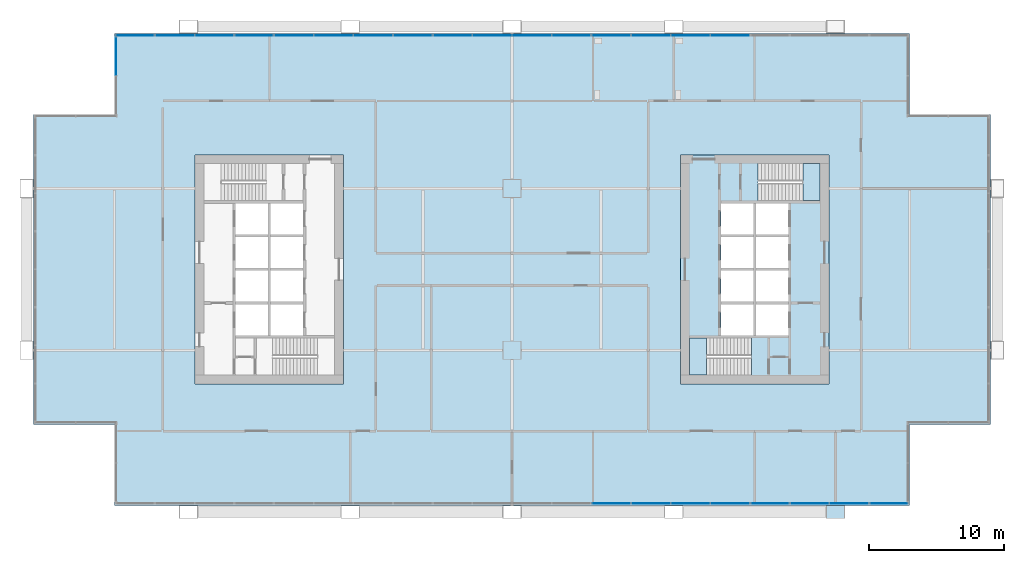
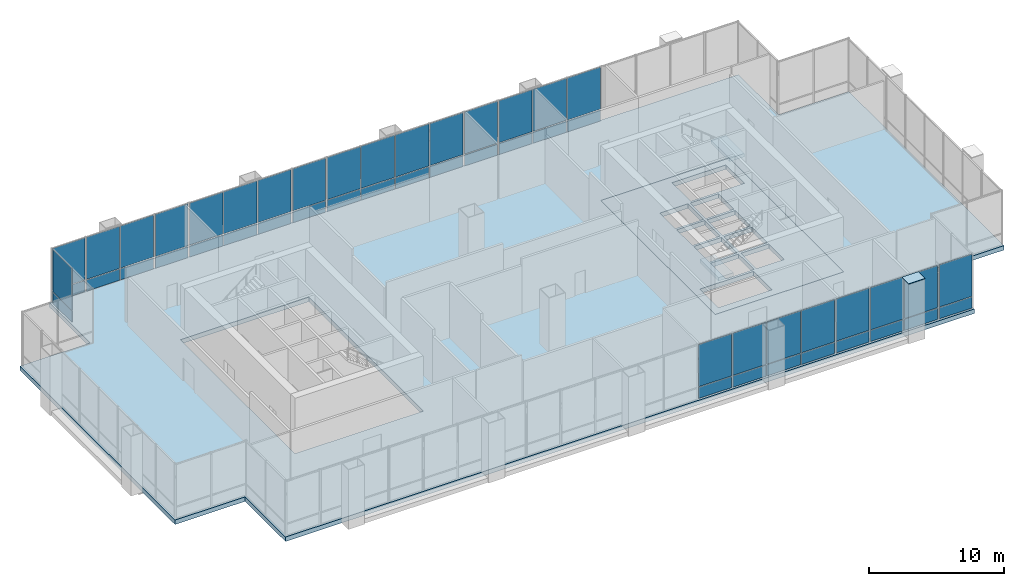
# One storey, part 13 of 20: 51 plates, 4 slabs, 16 elements without a shape of their own.
"""IFC4 building model written with IfcOpenShell, lengths in metres."""

from ifc_helpers import new_model, si_unit, direction, frame, origin, origin_2d, place, context, subcontext, project, spatial, polyline, rectangle, outline, extrude, material, layer, layer_set, type_object, element, aggregate, save


model = new_model("IFC4")

# Units and contexts
model_context = context("Model", 3, precision=1e-05, world=origin(), true_north=direction((0.0, 1.0)))
body_context = subcontext(model_context, "Body", "Model", "MODEL_VIEW")
ifc_project = project(units=[si_unit("LENGTHUNIT", "METRE"), si_unit("AREAUNIT", "SQUARE_METRE"), si_unit("VOLUMEUNIT", "CUBIC_METRE"), si_unit("PLANEANGLEUNIT", "RADIAN"), si_unit("MASSUNIT", "GRAM", prefix="KILO")], contexts=[model_context])

# Site, building, storey
site_placement = place(None, origin())
site = spatial("IfcSite", under=ifc_project, at=site_placement, CompositionType="ELEMENT")
building_placement = place(site_placement, origin())
building = spatial("IfcBuilding", under=site, at=building_placement, Name="Kitamizu Gate Tower and Museum", CompositionType="ELEMENT")
storey_placement = place(building_placement, frame((0.0, 0.0, 148.35009765625)))
storey = spatial("IfcBuildingStorey", under=building, at=storey_placement, Name="L39", CompositionType="ELEMENT", Elevation=148.35009765625)

# Slab
ifc_material_1 = material(Name="Concrete Fc36", Category="concrete")
ifc_layer_1 = layer(ifc_material_1, 0.39990234375)
ifc_layer_set_1 = layer_set([ifc_layer_1], Name="Concrete Fc36")
slab_type_1 = type_object("IfcSlabType", Name="Core floor slab 400", PredefinedType="FLOOR", material=ifc_layer_set_1)
slab_1_placement = place(storey_placement, frame((0.0, 0.0, -0.400146484375)))
element("IfcSlab", 1, at=slab_1_placement, inside=storey, type_object=slab_type_1, Name="Core floor slab E", PredefinedType="FLOOR", context=body_context, shape_type="SweptSolid", body=[
    extrude(outline(polyline([(48.5, 21.5), (59.5, 21.5), (59.5, 38.5), (48.5, 38.5), (48.5, 21.5)]), holes=[polyline([(54.10009765625, 25.10009765625), (56.5, 25.10009765625), (56.5, 27.39990234375), (54.10009765625, 27.39990234375), (54.10009765625, 25.10009765625)]), polyline([(54.10009765625, 27.60009765625), (56.5, 27.60009765625), (56.5, 29.89990234375), (54.10009765625, 29.89990234375), (54.10009765625, 27.60009765625)]), polyline([(54.10009765625, 30.10009765625), (56.5, 30.10009765625), (56.5, 32.39990234375), (54.10009765625, 32.39990234375), (54.10009765625, 30.10009765625)]), polyline([(54.10009765625, 32.60009765625), (56.5, 32.60009765625), (56.5, 34.89990234375), (54.10009765625, 34.89990234375), (54.10009765625, 32.60009765625)]), polyline([(51.5, 25.10009765625), (53.89990234375, 25.10009765625), (53.89990234375, 27.39990234375), (51.5, 27.39990234375), (51.5, 25.10009765625)]), polyline([(51.5, 27.60009765625), (53.89990234375, 27.60009765625), (53.89990234375, 29.89990234375), (51.5, 29.89990234375), (51.5, 27.60009765625)]), polyline([(51.5, 30.10009765625), (53.89990234375, 30.10009765625), (53.89990234375, 32.39990234375), (51.5, 32.39990234375), (51.5, 30.10009765625)]), polyline([(51.5, 32.60009765625), (53.89990234375, 32.60009765625), (53.89990234375, 34.89990234375), (51.5, 34.89990234375), (51.5, 32.60009765625)]), polyline([(49.14990234375, 22.14990234375), (53.74951171875, 22.14990234375), (53.74951171875, 24.89990234375), (49.14990234375, 24.89990234375), (49.14990234375, 22.14990234375)]), polyline([(54.25048828125, 35.10009765625), (58.85009765625, 35.10009765625), (58.85009765625, 37.85009765625), (54.25048828125, 37.85009765625), (54.25048828125, 35.10009765625)])]), origin(), (0.0, 0.0, 1.0), 0.400146484375),
])

# Plate
ifc_material_2 = material(Name="Steel SM490A bronze coated", Category="steel")
ifc_layer_2 = layer(ifc_material_2, 0.054931640625)
ifc_layer_set_2 = layer_set([ifc_layer_2], Name="Steel SM490A bronze coated")
plate_type_1 = type_object("IfcPlateType", Name="Exoskeleton column cap plate XC5 55", PredefinedType="USERDEFINED", material=ifc_layer_set_2)
plate_1_placement = place(storey_placement, frame((60.0, 12.0, 5.0), z_axis=(0.0, 0.0, 1.0), x_axis=(1.0, 0.0, 0.0)))
element("IfcPlate", 2, at=plate_1_placement, inside=storey, type_object=plate_type_1, Name="Exoskeleton column cap plate XC5 6B L39", ObjectType="COLUMN CAP PLATE", PredefinedType="USERDEFINED", context=body_context, shape_type="SweptSolid", body=[
    extrude(rectangle(XDim=1.39990234375, YDim=1.0, at=origin_2d()), origin(), (0.0, 0.0, 1.0), 0.054931640625),
])

# Curtain wall, plates
ifc_material_3 = material(Name="Bronze anodised aluminium frame, tinted triple glazing", Category="aluminium")
curtain_wall_type_1 = type_object("IfcCurtainWallType", Name="CURTAIN WALL TYPE B SKY LOBBY", PredefinedType="NOTDEFINED", material=ifc_material_3)
curtain_wall_1_placement = place(storey_placement, origin())
curtain_wall_1 = element("IfcCurtainWall", 3, at=curtain_wall_1_placement, inside=storey, type_object=curtain_wall_type_1, Name="Curtain wall CW-B south L39 part 7", PredefinedType="NOTDEFINED")
ifc_material_4 = material(Name="Tinted insulating glass", Category="glass")
ifc_layer_3 = layer(ifc_material_4, 0.031982421875)
ifc_layer_set_3 = layer_set([ifc_layer_3], Name="Tinted insulating glass")
plate_type_2 = type_object("IfcPlateType", Name="GLASS PANEL 32 TYPE B", PredefinedType="CURTAIN_PANEL", material=ifc_layer_set_3)
plate_2_placement = place(storey_placement, frame((43.360107421875, 12.635009765625, 0.06005859375), z_axis=(0.0, 0.0, 1.0), x_axis=(1.0, 0.0, 0.0)))
plate_2 = element("IfcPlate", 4, at=plate_2_placement, type_object=plate_type_2, Name="CW-B panel 1.1", PredefinedType="CURTAIN_PANEL", context=body_context, shape_type="SweptSolid", body=[
    extrude(rectangle(XDim=2.803955078125, YDim=0.031982421875, at=origin_2d()), origin(), (0.0, 0.0, 1.0), 1.010009765625),
])
plate_3_placement = place(storey_placement, frame((43.360107421875, 12.635009765625, 1.1298828125), z_axis=(0.0, 0.0, 1.0), x_axis=(1.0, 0.0, 0.0)))
plate_3 = element("IfcPlate", 5, at=plate_3_placement, type_object=plate_type_2, Name="CW-B panel 1.2", PredefinedType="CURTAIN_PANEL", context=body_context, shape_type="SweptSolid", body=[
    extrude(rectangle(XDim=2.803955078125, YDim=0.031982421875, at=origin_2d()), origin(), (0.0, 0.0, 1.0), 3.81005859375),
])
aggregate(curtain_wall_1, [plate_2, plate_3])

curtain_wall_2_placement = place(storey_placement, origin())
curtain_wall_2 = element("IfcCurtainWall", 6, at=curtain_wall_2_placement, inside=storey, type_object=curtain_wall_type_1, Name="Curtain wall CW-B south L39 part 9", PredefinedType="NOTDEFINED")
plate_4_placement = place(storey_placement, frame((55.135986328125, 12.635009765625, 0.06005859375), z_axis=(0.0, 0.0, 1.0), x_axis=(1.0, 0.0, 0.0)))
plate_4 = element("IfcPlate", 7, at=plate_4_placement, type_object=plate_type_2, Name="CW-B panel 1.1", PredefinedType="CURTAIN_PANEL", context=body_context, shape_type="SweptSolid", body=[
    extrude(rectangle(XDim=2.803955078125, YDim=0.031982421875, at=origin_2d()), origin(), (0.0, 0.0, 1.0), 1.010009765625),
])
plate_5_placement = place(storey_placement, frame((55.135986328125, 12.635009765625, 1.1298828125), z_axis=(0.0, 0.0, 1.0), x_axis=(1.0, 0.0, 0.0)))
plate_5 = element("IfcPlate", 8, at=plate_5_placement, type_object=plate_type_2, Name="CW-B panel 1.2", PredefinedType="CURTAIN_PANEL", context=body_context, shape_type="SweptSolid", body=[
    extrude(rectangle(XDim=2.803955078125, YDim=0.031982421875, at=origin_2d()), origin(), (0.0, 0.0, 1.0), 3.81005859375),
])
aggregate(curtain_wall_2, [plate_4, plate_5])

curtain_wall_3_placement = place(storey_placement, origin())
curtain_wall_3 = element("IfcCurtainWall", 9, at=curtain_wall_3_placement, inside=storey, type_object=curtain_wall_type_1, Name="Curtain wall CW-B south L39 part 11", PredefinedType="NOTDEFINED")
plate_6_placement = place(storey_placement, frame((63.968017578125, 12.635009765625, 0.06005859375), z_axis=(0.0, 0.0, 1.0), x_axis=(1.0, 0.0, 0.0)))
plate_6 = element("IfcPlate", 10, at=plate_6_placement, type_object=plate_type_2, Name="CW-B panel 1.1", PredefinedType="CURTAIN_PANEL", context=body_context, shape_type="SweptSolid", body=[
    extrude(rectangle(XDim=2.803955078125, YDim=0.031982421875, at=origin_2d()), origin(), (0.0, 0.0, 1.0), 1.010009765625),
])
plate_7_placement = place(storey_placement, frame((63.968017578125, 12.635009765625, 1.1298828125), z_axis=(0.0, 0.0, 1.0), x_axis=(1.0, 0.0, 0.0)))
plate_7 = element("IfcPlate", 11, at=plate_7_placement, type_object=plate_type_2, Name="CW-B panel 1.2", PredefinedType="CURTAIN_PANEL", context=body_context, shape_type="SweptSolid", body=[
    extrude(rectangle(XDim=2.803955078125, YDim=0.031982421875, at=origin_2d()), origin(), (0.0, 0.0, 1.0), 3.81005859375),
])
aggregate(curtain_wall_3, [plate_6, plate_7])

curtain_wall_4_placement = place(storey_placement, origin())
curtain_wall_4 = element("IfcCurtainWall", 12, at=curtain_wall_4_placement, inside=storey, type_object=curtain_wall_type_1, Name="Curtain wall CW-B north L39 part 1", PredefinedType="NOTDEFINED")
plate_8_placement = place(storey_placement, frame((8.031982421875, 47.364990234375, 0.06005859375), z_axis=(0.0, 0.0, 1.0), x_axis=(1.0, 0.0, 0.0)))
plate_8 = element("IfcPlate", 13, at=plate_8_placement, type_object=plate_type_2, Name="CW-B panel 1.1", PredefinedType="CURTAIN_PANEL", context=body_context, shape_type="SweptSolid", body=[
    extrude(rectangle(XDim=2.803955078125, YDim=0.031982421875, at=origin_2d()), origin(), (0.0, 0.0, 1.0), 1.010009765625),
])
plate_9_placement = place(storey_placement, frame((8.031982421875, 47.364990234375, 1.1298828125), z_axis=(0.0, 0.0, 1.0), x_axis=(1.0, 0.0, 0.0)))
plate_9 = element("IfcPlate", 14, at=plate_9_placement, type_object=plate_type_2, Name="CW-B panel 1.2", PredefinedType="CURTAIN_PANEL", context=body_context, shape_type="SweptSolid", body=[
    extrude(rectangle(XDim=2.803955078125, YDim=0.031982421875, at=origin_2d()), origin(), (0.0, 0.0, 1.0), 3.81005859375),
])
aggregate(curtain_wall_4, [plate_8, plate_9])

curtain_wall_5_placement = place(storey_placement, origin())
curtain_wall_5 = element("IfcCurtainWall", 15, at=curtain_wall_5_placement, inside=storey, type_object=curtain_wall_type_1, Name="Curtain wall CW-B north L39 part 3", PredefinedType="NOTDEFINED")
plate_10_placement = place(storey_placement, frame((16.864013671875, 47.364990234375, 0.06005859375), z_axis=(0.0, 0.0, 1.0), x_axis=(1.0, 0.0, 0.0)))
plate_10 = element("IfcPlate", 16, at=plate_10_placement, type_object=plate_type_2, Name="CW-B panel 1.1", PredefinedType="CURTAIN_PANEL", context=body_context, shape_type="SweptSolid", body=[
    extrude(rectangle(XDim=2.803955078125, YDim=0.031982421875, at=origin_2d()), origin(), (0.0, 0.0, 1.0), 1.010009765625),
])
plate_11_placement = place(storey_placement, frame((16.864013671875, 47.364990234375, 1.1298828125), z_axis=(0.0, 0.0, 1.0), x_axis=(1.0, 0.0, 0.0)))
plate_11 = element("IfcPlate", 17, at=plate_11_placement, type_object=plate_type_2, Name="CW-B panel 1.2", PredefinedType="CURTAIN_PANEL", context=body_context, shape_type="SweptSolid", body=[
    extrude(rectangle(XDim=2.803955078125, YDim=0.031982421875, at=origin_2d()), origin(), (0.0, 0.0, 1.0), 3.81005859375),
])
aggregate(curtain_wall_5, [plate_10, plate_11])

curtain_wall_6_placement = place(storey_placement, origin())
curtain_wall_6 = element("IfcCurtainWall", 18, at=curtain_wall_6_placement, inside=storey, type_object=curtain_wall_type_1, Name="Curtain wall CW-B north L39 part 5", PredefinedType="NOTDEFINED")
plate_12_placement = place(storey_placement, frame((28.639892578125, 47.364990234375, 0.06005859375), z_axis=(0.0, 0.0, 1.0), x_axis=(1.0, 0.0, 0.0)))
plate_12 = element("IfcPlate", 19, at=plate_12_placement, type_object=plate_type_2, Name="CW-B panel 1.1", PredefinedType="CURTAIN_PANEL", context=body_context, shape_type="SweptSolid", body=[
    extrude(rectangle(XDim=2.803955078125, YDim=0.031982421875, at=origin_2d()), origin(), (0.0, 0.0, 1.0), 1.010009765625),
])
plate_13_placement = place(storey_placement, frame((28.639892578125, 47.364990234375, 1.1298828125), z_axis=(0.0, 0.0, 1.0), x_axis=(1.0, 0.0, 0.0)))
plate_13 = element("IfcPlate", 20, at=plate_13_placement, type_object=plate_type_2, Name="CW-B panel 1.2", PredefinedType="CURTAIN_PANEL", context=body_context, shape_type="SweptSolid", body=[
    extrude(rectangle(XDim=2.803955078125, YDim=0.031982421875, at=origin_2d()), origin(), (0.0, 0.0, 1.0), 3.81005859375),
])
aggregate(curtain_wall_6, [plate_12, plate_13])

curtain_wall_7_placement = place(storey_placement, origin())
curtain_wall_7 = element("IfcCurtainWall", 21, at=curtain_wall_7_placement, inside=storey, type_object=curtain_wall_type_1, Name="Curtain wall CW-B north L39 part 7", PredefinedType="NOTDEFINED")
plate_14_placement = place(storey_placement, frame((43.360107421875, 47.364990234375, 0.06005859375), z_axis=(0.0, 0.0, 1.0), x_axis=(1.0, 0.0, 0.0)))
plate_14 = element("IfcPlate", 22, at=plate_14_placement, type_object=plate_type_2, Name="CW-B panel 1.1", PredefinedType="CURTAIN_PANEL", context=body_context, shape_type="SweptSolid", body=[
    extrude(rectangle(XDim=2.803955078125, YDim=0.031982421875, at=origin_2d()), origin(), (0.0, 0.0, 1.0), 1.010009765625),
])
plate_15_placement = place(storey_placement, frame((43.360107421875, 47.364990234375, 1.1298828125), z_axis=(0.0, 0.0, 1.0), x_axis=(1.0, 0.0, 0.0)))
plate_15 = element("IfcPlate", 23, at=plate_15_placement, type_object=plate_type_2, Name="CW-B panel 1.2", PredefinedType="CURTAIN_PANEL", context=body_context, shape_type="SweptSolid", body=[
    extrude(rectangle(XDim=2.803955078125, YDim=0.031982421875, at=origin_2d()), origin(), (0.0, 0.0, 1.0), 3.81005859375),
])
aggregate(curtain_wall_7, [plate_14, plate_15])

curtain_wall_8_placement = place(storey_placement, origin())
curtain_wall_8 = element("IfcCurtainWall", 24, at=curtain_wall_8_placement, inside=storey, type_object=curtain_wall_type_1, Name="Curtain wall CW-B west L39", PredefinedType="NOTDEFINED")
plate_16_placement = place(storey_placement, frame((6.635009765625, 45.81005859375, 0.06005859375), z_axis=(0.0, 0.0, 1.0), x_axis=(0.0, 1.0, 0.0)))
plate_16 = element("IfcPlate", 25, at=plate_16_placement, type_object=plate_type_2, Name="CW-B panel 2.1", PredefinedType="CURTAIN_PANEL", context=body_context, shape_type="SweptSolid", body=[
    extrude(rectangle(XDim=2.820068359375, YDim=0.031982421875, at=origin_2d()), origin(), (0.0, 0.0, 1.0), 1.010009765625),
])
plate_17_placement = place(storey_placement, frame((6.635009765625, 45.81005859375, 1.1298828125), z_axis=(0.0, 0.0, 1.0), x_axis=(0.0, 1.0, 0.0)))
plate_17 = element("IfcPlate", 26, at=plate_17_placement, type_object=plate_type_2, Name="CW-B panel 2.2", PredefinedType="CURTAIN_PANEL", context=body_context, shape_type="SweptSolid", body=[
    extrude(rectangle(XDim=2.820068359375, YDim=0.031982421875, at=origin_2d()), origin(), (0.0, 0.0, 1.0), 3.81005859375),
])
aggregate(curtain_wall_8, [plate_16, plate_17])

ifc_material_5 = material(Name="Bronze anodised aluminium frame, insulated panels", Category="aluminium")
curtain_wall_type_2 = type_object("IfcCurtainWallType", Name="CURTAIN WALL TYPE B SKY LOBBY INSULATED", PredefinedType="NOTDEFINED", material=ifc_material_5)
curtain_wall_9_placement = place(storey_placement, origin())
curtain_wall_9 = element("IfcCurtainWall", 27, at=curtain_wall_9_placement, inside=storey, type_object=curtain_wall_type_2, Name="Curtain wall CW-BI south L39 part 8", PredefinedType="NOTDEFINED")
ifc_material_6 = material(Name="Bronze anodised aluminium insulated panel", Category="aluminium")
ifc_layer_4 = layer(ifc_material_6, 0.031982421875)
ifc_layer_set_4 = layer_set([ifc_layer_4], Name="Bronze anodised aluminium insulated panel")
plate_type_3 = type_object("IfcPlateType", Name="INSULATED PANEL 32 TYPE B", PredefinedType="CURTAIN_PANEL", material=ifc_layer_set_4)
plate_18_placement = place(storey_placement, frame((46.321533203125, 12.635009765625, 0.06005859375), z_axis=(0.0, 0.0, 1.0), x_axis=(1.0, 0.0, 0.0)))
plate_18 = element("IfcPlate", 28, at=plate_18_placement, type_object=plate_type_3, Name="CW-BI panel 1.1", PredefinedType="CURTAIN_PANEL", context=body_context, shape_type="SweptSolid", body=[
    extrude(rectangle(XDim=2.839111328125, YDim=0.031982421875, at=origin_2d()), origin(), (0.0, 0.0, 1.0), 1.010009765625),
])
plate_19_placement = place(storey_placement, frame((46.321533203125, 12.635009765625, 1.1298828125), z_axis=(0.0, 0.0, 1.0), x_axis=(1.0, 0.0, 0.0)))
plate_19 = element("IfcPlate", 29, at=plate_19_placement, type_object=plate_type_3, Name="CW-BI panel 1.2", PredefinedType="CURTAIN_PANEL", context=body_context, shape_type="SweptSolid", body=[
    extrude(rectangle(XDim=2.839111328125, YDim=0.031982421875, at=origin_2d()), origin(), (0.0, 0.0, 1.0), 3.81005859375),
])
plate_20_placement = place(storey_placement, frame((49.248046875, 12.635009765625, 0.06005859375), z_axis=(0.0, 0.0, 1.0), x_axis=(1.0, 0.0, 0.0)))
plate_20 = element("IfcPlate", 30, at=plate_20_placement, type_object=plate_type_3, Name="CW-BI panel 2.1", PredefinedType="CURTAIN_PANEL", context=body_context, shape_type="SweptSolid", body=[
    extrude(rectangle(XDim=2.8740234375, YDim=0.031982421875, at=origin_2d()), origin(), (0.0, 0.0, 1.0), 1.010009765625),
])
plate_21_placement = place(storey_placement, frame((49.248046875, 12.635009765625, 1.1298828125), z_axis=(0.0, 0.0, 1.0), x_axis=(1.0, 0.0, 0.0)))
plate_21 = element("IfcPlate", 31, at=plate_21_placement, type_object=plate_type_3, Name="CW-BI panel 2.2", PredefinedType="CURTAIN_PANEL", context=body_context, shape_type="SweptSolid", body=[
    extrude(rectangle(XDim=2.8740234375, YDim=0.031982421875, at=origin_2d()), origin(), (0.0, 0.0, 1.0), 3.81005859375),
])
plate_22_placement = place(storey_placement, frame((52.174560546875, 12.635009765625, 0.06005859375), z_axis=(0.0, 0.0, 1.0), x_axis=(1.0, 0.0, 0.0)))
plate_22 = element("IfcPlate", 32, at=plate_22_placement, type_object=plate_type_3, Name="CW-BI panel 3.1", PredefinedType="CURTAIN_PANEL", context=body_context, shape_type="SweptSolid", body=[
    extrude(rectangle(XDim=2.839111328125, YDim=0.031982421875, at=origin_2d()), origin(), (0.0, 0.0, 1.0), 1.010009765625),
])
plate_23_placement = place(storey_placement, frame((52.174560546875, 12.635009765625, 1.1298828125), z_axis=(0.0, 0.0, 1.0), x_axis=(1.0, 0.0, 0.0)))
plate_23 = element("IfcPlate", 33, at=plate_23_placement, type_object=plate_type_3, Name="CW-BI panel 3.2", PredefinedType="CURTAIN_PANEL", context=body_context, shape_type="SweptSolid", body=[
    extrude(rectangle(XDim=2.839111328125, YDim=0.031982421875, at=origin_2d()), origin(), (0.0, 0.0, 1.0), 3.81005859375),
])
aggregate(curtain_wall_9, [plate_18, plate_19, plate_20, plate_21, plate_22, plate_23])

curtain_wall_10_placement = place(storey_placement, origin())
curtain_wall_10 = element("IfcCurtainWall", 34, at=curtain_wall_10_placement, inside=storey, type_object=curtain_wall_type_2, Name="Curtain wall CW-BI south L39 part 10", PredefinedType="NOTDEFINED")
plate_24_placement = place(storey_placement, frame((58.097412109375, 12.635009765625, 0.06005859375), z_axis=(0.0, 0.0, 1.0), x_axis=(1.0, 0.0, 0.0)))
plate_24 = element("IfcPlate", 35, at=plate_24_placement, type_object=plate_type_3, Name="CW-BI panel 1.1", PredefinedType="CURTAIN_PANEL", context=body_context, shape_type="SweptSolid", body=[
    extrude(rectangle(XDim=2.839111328125, YDim=0.031982421875, at=origin_2d()), origin(), (0.0, 0.0, 1.0), 1.010009765625),
])
plate_25_placement = place(storey_placement, frame((58.097412109375, 12.635009765625, 1.1298828125), z_axis=(0.0, 0.0, 1.0), x_axis=(1.0, 0.0, 0.0)))
plate_25 = element("IfcPlate", 36, at=plate_25_placement, type_object=plate_type_3, Name="CW-BI panel 1.2", PredefinedType="CURTAIN_PANEL", context=body_context, shape_type="SweptSolid", body=[
    extrude(rectangle(XDim=2.839111328125, YDim=0.031982421875, at=origin_2d()), origin(), (0.0, 0.0, 1.0), 3.81005859375),
])
plate_26_placement = place(storey_placement, frame((61.006591796875, 12.635009765625, 0.06005859375), z_axis=(0.0, 0.0, 1.0), x_axis=(1.0, 0.0, 0.0)))
plate_26 = element("IfcPlate", 37, at=plate_26_placement, type_object=plate_type_3, Name="CW-BI panel 2.1", PredefinedType="CURTAIN_PANEL", context=body_context, shape_type="SweptSolid", body=[
    extrude(rectangle(XDim=2.839111328125, YDim=0.031982421875, at=origin_2d()), origin(), (0.0, 0.0, 1.0), 1.010009765625),
])
plate_27_placement = place(storey_placement, frame((61.006591796875, 12.635009765625, 1.1298828125), z_axis=(0.0, 0.0, 1.0), x_axis=(1.0, 0.0, 0.0)))
plate_27 = element("IfcPlate", 38, at=plate_27_placement, type_object=plate_type_3, Name="CW-BI panel 2.2", PredefinedType="CURTAIN_PANEL", context=body_context, shape_type="SweptSolid", body=[
    extrude(rectangle(XDim=2.839111328125, YDim=0.031982421875, at=origin_2d()), origin(), (0.0, 0.0, 1.0), 3.81005859375),
])
aggregate(curtain_wall_10, [plate_24, plate_25, plate_26, plate_27])

curtain_wall_11_placement = place(storey_placement, origin())
curtain_wall_11 = element("IfcCurtainWall", 39, at=curtain_wall_11_placement, inside=storey, type_object=curtain_wall_type_2, Name="Curtain wall CW-BI north L39 part 2", PredefinedType="NOTDEFINED")
plate_28_placement = place(storey_placement, frame((10.993408203125, 47.364990234375, 0.06005859375), z_axis=(0.0, 0.0, 1.0), x_axis=(1.0, 0.0, 0.0)))
plate_28 = element("IfcPlate", 40, at=plate_28_placement, type_object=plate_type_3, Name="CW-BI panel 1.1", PredefinedType="CURTAIN_PANEL", context=body_context, shape_type="SweptSolid", body=[
    extrude(rectangle(XDim=2.839111328125, YDim=0.031982421875, at=origin_2d()), origin(), (0.0, 0.0, 1.0), 1.010009765625),
])
plate_29_placement = place(storey_placement, frame((10.993408203125, 47.364990234375, 1.1298828125), z_axis=(0.0, 0.0, 1.0), x_axis=(1.0, 0.0, 0.0)))
plate_29 = element("IfcPlate", 41, at=plate_29_placement, type_object=plate_type_3, Name="CW-BI panel 1.2", PredefinedType="CURTAIN_PANEL", context=body_context, shape_type="SweptSolid", body=[
    extrude(rectangle(XDim=2.839111328125, YDim=0.031982421875, at=origin_2d()), origin(), (0.0, 0.0, 1.0), 3.81005859375),
])
plate_30_placement = place(storey_placement, frame((13.902587890625, 47.364990234375, 0.06005859375), z_axis=(0.0, 0.0, 1.0), x_axis=(1.0, 0.0, 0.0)))
plate_30 = element("IfcPlate", 42, at=plate_30_placement, type_object=plate_type_3, Name="CW-BI panel 2.1", PredefinedType="CURTAIN_PANEL", context=body_context, shape_type="SweptSolid", body=[
    extrude(rectangle(XDim=2.839111328125, YDim=0.031982421875, at=origin_2d()), origin(), (0.0, 0.0, 1.0), 1.010009765625),
])
plate_31_placement = place(storey_placement, frame((13.902587890625, 47.364990234375, 1.1298828125), z_axis=(0.0, 0.0, 1.0), x_axis=(1.0, 0.0, 0.0)))
plate_31 = element("IfcPlate", 43, at=plate_31_placement, type_object=plate_type_3, Name="CW-BI panel 2.2", PredefinedType="CURTAIN_PANEL", context=body_context, shape_type="SweptSolid", body=[
    extrude(rectangle(XDim=2.839111328125, YDim=0.031982421875, at=origin_2d()), origin(), (0.0, 0.0, 1.0), 3.81005859375),
])
aggregate(curtain_wall_11, [plate_28, plate_29, plate_30, plate_31])

curtain_wall_12_placement = place(storey_placement, origin())
curtain_wall_12 = element("IfcCurtainWall", 44, at=curtain_wall_12_placement, inside=storey, type_object=curtain_wall_type_2, Name="Curtain wall CW-BI north L39 part 4", PredefinedType="NOTDEFINED")
plate_32_placement = place(storey_placement, frame((19.825439453125, 47.364990234375, 0.06005859375), z_axis=(0.0, 0.0, 1.0), x_axis=(1.0, 0.0, 0.0)))
plate_32 = element("IfcPlate", 45, at=plate_32_placement, type_object=plate_type_3, Name="CW-BI panel 1.1", PredefinedType="CURTAIN_PANEL", context=body_context, shape_type="SweptSolid", body=[
    extrude(rectangle(XDim=2.839111328125, YDim=0.031982421875, at=origin_2d()), origin(), (0.0, 0.0, 1.0), 1.010009765625),
])
plate_33_placement = place(storey_placement, frame((19.825439453125, 47.364990234375, 1.1298828125), z_axis=(0.0, 0.0, 1.0), x_axis=(1.0, 0.0, 0.0)))
plate_33 = element("IfcPlate", 46, at=plate_33_placement, type_object=plate_type_3, Name="CW-BI panel 1.2", PredefinedType="CURTAIN_PANEL", context=body_context, shape_type="SweptSolid", body=[
    extrude(rectangle(XDim=2.839111328125, YDim=0.031982421875, at=origin_2d()), origin(), (0.0, 0.0, 1.0), 3.81005859375),
])
plate_34_placement = place(storey_placement, frame((22.751953125, 47.364990234375, 0.06005859375), z_axis=(0.0, 0.0, 1.0), x_axis=(1.0, 0.0, 0.0)))
plate_34 = element("IfcPlate", 47, at=plate_34_placement, type_object=plate_type_3, Name="CW-BI panel 2.1", PredefinedType="CURTAIN_PANEL", context=body_context, shape_type="SweptSolid", body=[
    extrude(rectangle(XDim=2.8740234375, YDim=0.031982421875, at=origin_2d()), origin(), (0.0, 0.0, 1.0), 1.010009765625),
])
plate_35_placement = place(storey_placement, frame((22.751953125, 47.364990234375, 1.1298828125), z_axis=(0.0, 0.0, 1.0), x_axis=(1.0, 0.0, 0.0)))
plate_35 = element("IfcPlate", 48, at=plate_35_placement, type_object=plate_type_3, Name="CW-BI panel 2.2", PredefinedType="CURTAIN_PANEL", context=body_context, shape_type="SweptSolid", body=[
    extrude(rectangle(XDim=2.8740234375, YDim=0.031982421875, at=origin_2d()), origin(), (0.0, 0.0, 1.0), 3.81005859375),
])
plate_36_placement = place(storey_placement, frame((25.678466796875, 47.364990234375, 0.06005859375), z_axis=(0.0, 0.0, 1.0), x_axis=(1.0, 0.0, 0.0)))
plate_36 = element("IfcPlate", 49, at=plate_36_placement, type_object=plate_type_3, Name="CW-BI panel 3.1", PredefinedType="CURTAIN_PANEL", context=body_context, shape_type="SweptSolid", body=[
    extrude(rectangle(XDim=2.839111328125, YDim=0.031982421875, at=origin_2d()), origin(), (0.0, 0.0, 1.0), 1.010009765625),
])
plate_37_placement = place(storey_placement, frame((25.678466796875, 47.364990234375, 1.1298828125), z_axis=(0.0, 0.0, 1.0), x_axis=(1.0, 0.0, 0.0)))
plate_37 = element("IfcPlate", 50, at=plate_37_placement, type_object=plate_type_3, Name="CW-BI panel 3.2", PredefinedType="CURTAIN_PANEL", context=body_context, shape_type="SweptSolid", body=[
    extrude(rectangle(XDim=2.839111328125, YDim=0.031982421875, at=origin_2d()), origin(), (0.0, 0.0, 1.0), 3.81005859375),
])
aggregate(curtain_wall_12, [plate_32, plate_33, plate_34, plate_35, plate_36, plate_37])

curtain_wall_13_placement = place(storey_placement, origin())
curtain_wall_13 = element("IfcCurtainWall", 51, at=curtain_wall_13_placement, inside=storey, type_object=curtain_wall_type_2, Name="Curtain wall CW-BI north L39 part 6", PredefinedType="NOTDEFINED")
plate_38_placement = place(storey_placement, frame((31.6015625, 47.364990234375, 0.06005859375), z_axis=(0.0, 0.0, 1.0), x_axis=(1.0, 0.0, 0.0)))
plate_38 = element("IfcPlate", 52, at=plate_38_placement, type_object=plate_type_3, Name="CW-BI panel 1.1", PredefinedType="CURTAIN_PANEL", context=body_context, shape_type="SweptSolid", body=[
    extrude(rectangle(XDim=2.839111328125, YDim=0.031982421875, at=origin_2d()), origin(), (0.0, 0.0, 1.0), 1.010009765625),
])
plate_39_placement = place(storey_placement, frame((31.6015625, 47.364990234375, 1.1298828125), z_axis=(0.0, 0.0, 1.0), x_axis=(1.0, 0.0, 0.0)))
plate_39 = element("IfcPlate", 53, at=plate_39_placement, type_object=plate_type_3, Name="CW-BI panel 1.2", PredefinedType="CURTAIN_PANEL", context=body_context, shape_type="SweptSolid", body=[
    extrude(rectangle(XDim=2.839111328125, YDim=0.031982421875, at=origin_2d()), origin(), (0.0, 0.0, 1.0), 3.81005859375),
])
plate_40_placement = place(storey_placement, frame((34.528076171875, 47.364990234375, 0.06005859375), z_axis=(0.0, 0.0, 1.0), x_axis=(1.0, 0.0, 0.0)))
plate_40 = element("IfcPlate", 54, at=plate_40_placement, type_object=plate_type_3, Name="CW-BI panel 2.1", PredefinedType="CURTAIN_PANEL", context=body_context, shape_type="SweptSolid", body=[
    extrude(rectangle(XDim=2.8740234375, YDim=0.031982421875, at=origin_2d()), origin(), (0.0, 0.0, 1.0), 1.010009765625),
])
plate_41_placement = place(storey_placement, frame((34.528076171875, 47.364990234375, 1.1298828125), z_axis=(0.0, 0.0, 1.0), x_axis=(1.0, 0.0, 0.0)))
plate_41 = element("IfcPlate", 55, at=plate_41_placement, type_object=plate_type_3, Name="CW-BI panel 2.2", PredefinedType="CURTAIN_PANEL", context=body_context, shape_type="SweptSolid", body=[
    extrude(rectangle(XDim=2.8740234375, YDim=0.031982421875, at=origin_2d()), origin(), (0.0, 0.0, 1.0), 3.81005859375),
])
plate_42_placement = place(storey_placement, frame((37.471923828125, 47.364990234375, 0.06005859375), z_axis=(0.0, 0.0, 1.0), x_axis=(1.0, 0.0, 0.0)))
plate_42 = element("IfcPlate", 56, at=plate_42_placement, type_object=plate_type_3, Name="CW-BI panel 3.1", PredefinedType="CURTAIN_PANEL", context=body_context, shape_type="SweptSolid", body=[
    extrude(rectangle(XDim=2.8740234375, YDim=0.031982421875, at=origin_2d()), origin(), (0.0, 0.0, 1.0), 1.010009765625),
])
plate_43_placement = place(storey_placement, frame((37.471923828125, 47.364990234375, 1.1298828125), z_axis=(0.0, 0.0, 1.0), x_axis=(1.0, 0.0, 0.0)))
plate_43 = element("IfcPlate", 57, at=plate_43_placement, type_object=plate_type_3, Name="CW-BI panel 3.2", PredefinedType="CURTAIN_PANEL", context=body_context, shape_type="SweptSolid", body=[
    extrude(rectangle(XDim=2.8740234375, YDim=0.031982421875, at=origin_2d()), origin(), (0.0, 0.0, 1.0), 3.81005859375),
])
plate_44_placement = place(storey_placement, frame((40.3984375, 47.364990234375, 0.06005859375), z_axis=(0.0, 0.0, 1.0), x_axis=(1.0, 0.0, 0.0)))
plate_44 = element("IfcPlate", 58, at=plate_44_placement, type_object=plate_type_3, Name="CW-BI panel 4.1", PredefinedType="CURTAIN_PANEL", context=body_context, shape_type="SweptSolid", body=[
    extrude(rectangle(XDim=2.839111328125, YDim=0.031982421875, at=origin_2d()), origin(), (0.0, 0.0, 1.0), 1.010009765625),
])
plate_45_placement = place(storey_placement, frame((40.3984375, 47.364990234375, 1.1298828125), z_axis=(0.0, 0.0, 1.0), x_axis=(1.0, 0.0, 0.0)))
plate_45 = element("IfcPlate", 59, at=plate_45_placement, type_object=plate_type_3, Name="CW-BI panel 4.2", PredefinedType="CURTAIN_PANEL", context=body_context, shape_type="SweptSolid", body=[
    extrude(rectangle(XDim=2.839111328125, YDim=0.031982421875, at=origin_2d()), origin(), (0.0, 0.0, 1.0), 3.81005859375),
])
aggregate(curtain_wall_13, [plate_38, plate_39, plate_40, plate_41, plate_42, plate_43, plate_44, plate_45])

curtain_wall_14_placement = place(storey_placement, origin())
curtain_wall_14 = element("IfcCurtainWall", 60, at=curtain_wall_14_placement, inside=storey, type_object=curtain_wall_type_2, Name="Curtain wall CW-BI north L39 part 8", PredefinedType="NOTDEFINED")
plate_46_placement = place(storey_placement, frame((46.321533203125, 47.364990234375, 0.06005859375), z_axis=(0.0, 0.0, 1.0), x_axis=(1.0, 0.0, 0.0)))
plate_46 = element("IfcPlate", 61, at=plate_46_placement, type_object=plate_type_3, Name="CW-BI panel 1.1", PredefinedType="CURTAIN_PANEL", context=body_context, shape_type="SweptSolid", body=[
    extrude(rectangle(XDim=2.839111328125, YDim=0.031982421875, at=origin_2d()), origin(), (0.0, 0.0, 1.0), 1.010009765625),
])
plate_47_placement = place(storey_placement, frame((46.321533203125, 47.364990234375, 1.1298828125), z_axis=(0.0, 0.0, 1.0), x_axis=(1.0, 0.0, 0.0)))
plate_47 = element("IfcPlate", 62, at=plate_47_placement, type_object=plate_type_3, Name="CW-BI panel 1.2", PredefinedType="CURTAIN_PANEL", context=body_context, shape_type="SweptSolid", body=[
    extrude(rectangle(XDim=2.839111328125, YDim=0.031982421875, at=origin_2d()), origin(), (0.0, 0.0, 1.0), 3.81005859375),
])
plate_48_placement = place(storey_placement, frame((49.248046875, 47.364990234375, 0.06005859375), z_axis=(0.0, 0.0, 1.0), x_axis=(1.0, 0.0, 0.0)))
plate_48 = element("IfcPlate", 63, at=plate_48_placement, type_object=plate_type_3, Name="CW-BI panel 2.1", PredefinedType="CURTAIN_PANEL", context=body_context, shape_type="SweptSolid", body=[
    extrude(rectangle(XDim=2.8740234375, YDim=0.031982421875, at=origin_2d()), origin(), (0.0, 0.0, 1.0), 1.010009765625),
])
plate_49_placement = place(storey_placement, frame((49.248046875, 47.364990234375, 1.1298828125), z_axis=(0.0, 0.0, 1.0), x_axis=(1.0, 0.0, 0.0)))
plate_49 = element("IfcPlate", 64, at=plate_49_placement, type_object=plate_type_3, Name="CW-BI panel 2.2", PredefinedType="CURTAIN_PANEL", context=body_context, shape_type="SweptSolid", body=[
    extrude(rectangle(XDim=2.8740234375, YDim=0.031982421875, at=origin_2d()), origin(), (0.0, 0.0, 1.0), 3.81005859375),
])
plate_50_placement = place(storey_placement, frame((52.174560546875, 47.364990234375, 0.06005859375), z_axis=(0.0, 0.0, 1.0), x_axis=(1.0, 0.0, 0.0)))
plate_50 = element("IfcPlate", 65, at=plate_50_placement, type_object=plate_type_3, Name="CW-BI panel 3.1", PredefinedType="CURTAIN_PANEL", context=body_context, shape_type="SweptSolid", body=[
    extrude(rectangle(XDim=2.839111328125, YDim=0.031982421875, at=origin_2d()), origin(), (0.0, 0.0, 1.0), 1.010009765625),
])
plate_51_placement = place(storey_placement, frame((52.174560546875, 47.364990234375, 1.1298828125), z_axis=(0.0, 0.0, 1.0), x_axis=(1.0, 0.0, 0.0)))
plate_51 = element("IfcPlate", 66, at=plate_51_placement, type_object=plate_type_3, Name="CW-BI panel 3.2", PredefinedType="CURTAIN_PANEL", context=body_context, shape_type="SweptSolid", body=[
    extrude(rectangle(XDim=2.839111328125, YDim=0.031982421875, at=origin_2d()), origin(), (0.0, 0.0, 1.0), 3.81005859375),
])
aggregate(curtain_wall_14, [plate_46, plate_47, plate_48, plate_49, plate_50, plate_51])

# Slab
ifc_material_7 = material(Name="Concrete Fc36", Category="concrete")
ifc_layer_5 = layer(ifc_material_7, 0.39990234375)
ifc_layer_set_5 = layer_set([ifc_layer_5], Name="Concrete Fc36")
slab_type_2 = type_object("IfcSlabType", Name="Post tensioned flat slab 400", PredefinedType="FLOOR", material=ifc_layer_set_5)
slab_2_placement = place(storey_placement, frame((0.0, 0.0, -0.400146484375)))
element("IfcSlab", 67, at=slab_2_placement, inside=storey, type_object=slab_type_2, Name="Floor slab L39-1", PredefinedType="FLOOR", context=body_context, shape_type="SweptSolid", body=[
    extrude(outline(polyline([(0.5, 18.5), (0.5, 41.5), (6.5, 41.5), (6.5, 47.5), (65.5, 47.5), (65.5, 41.5), (71.5, 41.5), (71.5, 18.5), (65.5, 18.5), (65.5, 12.5), (6.5, 12.5), (6.5, 18.5), (0.5, 18.5)]), holes=[polyline([(59.5, 38.5), (48.5, 38.5), (48.5, 21.5), (59.5, 21.5), (59.5, 38.5)]), polyline([(12.5, 38.5), (12.5, 21.5), (23.5, 21.5), (23.5, 38.5), (12.5, 38.5)])]), origin(), (0.0, 0.0, 1.0), 0.400146484375),
])

# Stair, slab
ifc_material_8 = material(Name="Concrete Fc42", Category="concrete")
stair_type = type_object("IfcStairType", Name="Exit stair 1275 wide 193 rise 256 going", PredefinedType="HALF_TURN_STAIR", material=ifc_material_8)
stair_1_placement = place(storey_placement, origin())
stair_1 = element("IfcStair", 68, at=stair_1_placement, inside=storey, type_object=stair_type, Name="Exit stair ST3", PredefinedType="HALF_TURN_STAIR")
ifc_material_9 = material(Name="Concrete Fc42", Category="concrete")
ifc_layer_6 = layer(ifc_material_9, 0.300048828125)
ifc_layer_set_6 = layer_set([ifc_layer_6], Name="Concrete Fc42")
slab_type_3 = type_object("IfcSlabType", Name="Stair landing 300", PredefinedType="LANDING", material=ifc_layer_set_6)
slab_3_placement = place(storey_placement, frame((0.0, 0.0, 2.39990234375)))
slab_3 = element("IfcSlab", 69, at=slab_3_placement, type_object=slab_type_3, Name="ST3 landing 1", PredefinedType="LANDING", context=body_context, shape_type="SweptSolid", body=[
    extrude(outline(polyline([(49.14990234375, 22.14990234375), (50.425048828125, 22.14990234375), (50.425048828125, 24.89990234375), (49.14990234375, 24.89990234375), (49.14990234375, 22.14990234375)])), origin(), (0.0, 0.0, 1.0), 0.300048828125),
])
aggregate(stair_1, [slab_3])

stair_2_placement = place(storey_placement, origin())
stair_2 = element("IfcStair", 70, at=stair_2_placement, inside=storey, type_object=stair_type, Name="Exit stair ST4", PredefinedType="HALF_TURN_STAIR")
slab_4_placement = place(storey_placement, frame((0.0, 0.0, 2.39990234375)))
slab_4 = element("IfcSlab", 71, at=slab_4_placement, type_object=slab_type_3, Name="ST4 landing 1", PredefinedType="LANDING", context=body_context, shape_type="SweptSolid", body=[
    extrude(outline(polyline([(57.574951171875, 35.10009765625), (58.85009765625, 35.10009765625), (58.85009765625, 37.85009765625), (57.574951171875, 37.85009765625), (57.574951171875, 35.10009765625)])), origin(), (0.0, 0.0, 1.0), 0.300048828125),
])
aggregate(stair_2, [slab_4])

save(model, "model.ifc")
